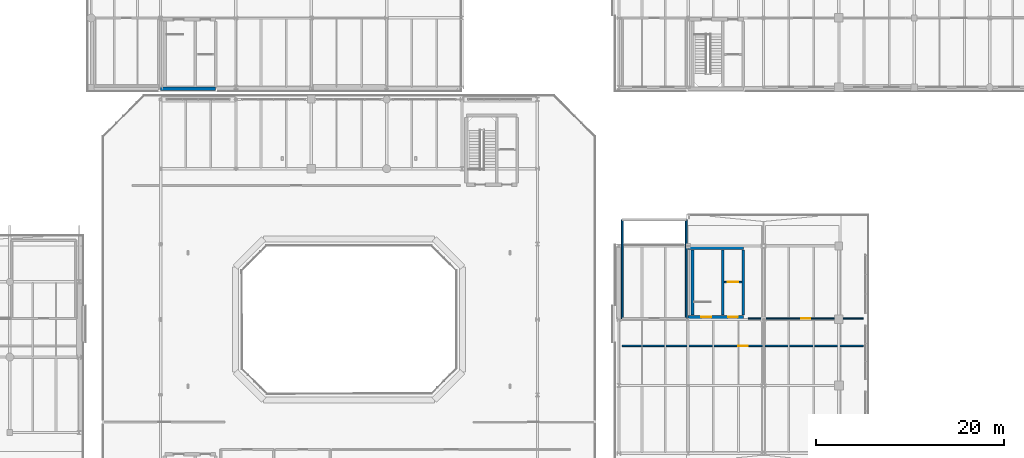
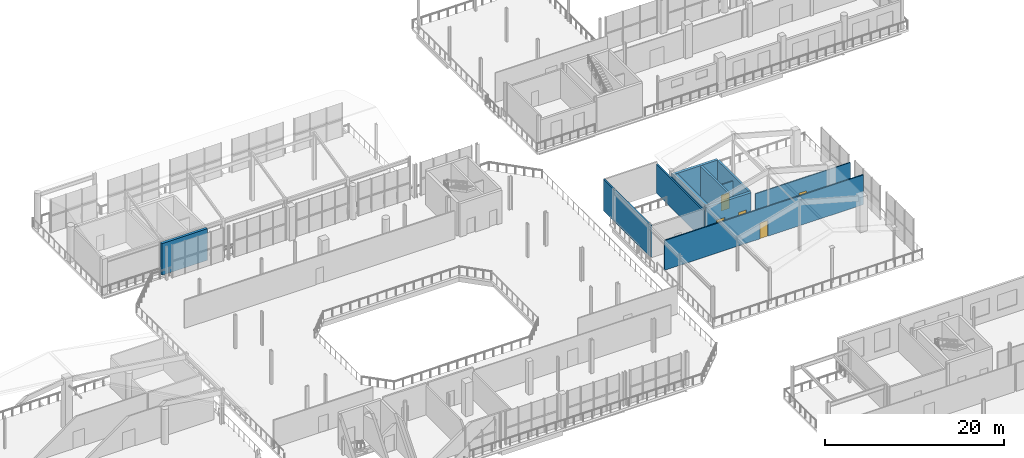
# One storey, part 51 of 70: 11 walls, 5 doors, 5 openings.
"""IFC4 building model written with IfcOpenShell, lengths in metres."""

from ifc_helpers import new_model, si_unit, direction, frame, frame_2d, origin, place, context, subcontext, project, spatial, rectangle, extrude, material, layer, layer_set, type_object, element, fill, save


model = new_model("IFC4")

# Units and contexts
model_context = context("Model", 3, precision=1e-05, world=origin(), true_north=direction((0.0, 1.0)))
body_context = subcontext(model_context, "Body", "Model", "MODEL_VIEW")
ifc_project = project(units=[si_unit("LENGTHUNIT", "METRE"), si_unit("AREAUNIT", "SQUARE_METRE"), si_unit("VOLUMEUNIT", "CUBIC_METRE"), si_unit("PLANEANGLEUNIT", "RADIAN"), si_unit("MASSUNIT", "GRAM", prefix="KILO")], contexts=[model_context])

# Site, building, storey
site_placement = place(None, origin())
site = spatial("IfcSite", under=ifc_project, at=site_placement, CompositionType="ELEMENT")
building_placement = place(site_placement, origin())
building = spatial("IfcBuilding", under=site, at=building_placement, Name="Brisemont Oceanarium", CompositionType="ELEMENT")
storey_placement = place(building_placement, frame((0.0, 0.0, 10.199951171875)))
storey = spatial("IfcBuildingStorey", under=building, at=storey_placement, Name="L02", CompositionType="ELEMENT", Elevation=10.199951171875)

# Wall, opening, door
ifc_material_1 = material(Name="Moisture-Resistant Gypsum Steel-Stud Partition", Category="steel")
ifc_layer_1 = layer(ifc_material_1, 0.159912109375)
ifc_layer_set_1 = layer_set([ifc_layer_1], Name="Moisture-Resistant Gypsum Steel-Stud Partition")
wall_type_1 = type_object("IfcWallType", Name="IW-FB-160", PredefinedType="PARTITIONING", material=ifc_layer_set_1)
wall_1_placement = place(storey_placement, frame((123.85009765625, 59.969970703125, 0.0), z_axis=(0.0, 0.0, 1.0), x_axis=(1.0, 0.0, 0.0)))
wall_1 = element("IfcWall", 1, at=wall_1_placement, inside=storey, type_object=wall_type_1, Name="Core C6 L02 lift hoistway front wall", PredefinedType="PARTITIONING", context=body_context, shape_type="SweptSolid", body=[
    extrude(rectangle(XDim=1.83984375, YDim=0.159912109375, at=frame_2d((0.919921875, 0.0))), origin(), (0.0, 0.0, 1.0), 3.60009765625),
])
opening_1_placement = place(wall_1_placement, frame((0.3701171875, 0.0, 0.0)))
opening_1 = element("IfcOpeningElement", 2, at=opening_1_placement, cuts=wall_1, Name="Opening LD-01", PredefinedType="OPENING", context=body_context, shape_type="SweptSolid", body=[
    extrude(rectangle(XDim=1.10009765625, YDim=2.14990234375, at=frame_2d((0.550048828125, 1.074951171875))), frame((0.0, 0.08984375, 0.0), z_axis=(0.0, -1.0, 0.0), x_axis=(1.0, 0.0, 0.0)), (0.0, 0.0, 1.0), 0.179931640625),
])
ifc_material_2 = material(Name="Duplex Stainless Steel EN 1.4462", Category="steel")
door_type_1 = type_object("IfcDoorType", Name="DR-LIFT-1100X2150", OperationType="NOTDEFINED", PredefinedType="DOOR", material=ifc_material_2)
door_1_placement = place(opening_1_placement, origin())
door_1 = element("IfcDoor", 3, at=door_1_placement, inside=storey, type_object=door_type_1, Name="Lift landing door LF-06 L02", OperationType="SLIDING_TO_LEFT", OverallHeight=2.14990234375, OverallWidth=1.10009765625, PredefinedType="DOOR", context=body_context, shape_type="SweptSolid", body=[
    extrude(rectangle(XDim=1.10009765625, YDim=2.14990234375, at=frame_2d((0.550048828125, 1.074951171875))), frame((0.0, 0.02490234375, 0.0), z_axis=(0.0, -1.0, 0.0), x_axis=(1.0, 0.0, 0.0)), (0.0, 0.0, 1.0), 0.050048828125),
])
fill(opening_1, door_1)

wall_2_placement = place(storey_placement, frame((113.0, 53.199951171875, 0.0), z_axis=(0.0, 0.0, 1.0), x_axis=(1.0, 0.0, 0.0)))
wall_2 = element("IfcWall", 4, at=wall_2_placement, inside=storey, type_object=wall_type_1, Name="Seadragon and Pipefish Exhibit Gallery corridor partition", PredefinedType="PARTITIONING", context=body_context, shape_type="SweptSolid", body=[
    extrude(rectangle(XDim=25.60009765625, YDim=0.159912109375, at=frame_2d((12.800048828125, 0.0))), origin(), (0.0, 0.0, 1.0), 4.047119140625),
])
opening_2_placement = place(wall_2_placement, frame((12.2900390625, 0.0, 0.0)))
opening_2 = element("IfcOpeningElement", 5, at=opening_2_placement, cuts=wall_2, Name="Opening D-01", PredefinedType="OPENING", context=body_context, shape_type="SweptSolid", body=[
    extrude(rectangle(XDim=1.02001953125, YDim=2.14990234375, at=frame_2d((0.510009765625, 1.074951171875))), frame((0.0, 0.08984375, 0.0), z_axis=(0.0, -1.0, 0.0), x_axis=(1.0, 0.0, 0.0)), (0.0, 0.0, 1.0), 0.179931640625),
])
ifc_material_3 = material(Name="FSC White Oak Solid-Core Fire Door")
door_type_2 = type_object("IfcDoorType", Name="DR-RM-1020X2150", OperationType="NOTDEFINED", PredefinedType="DOOR", material=ifc_material_3)
door_2_placement = place(opening_2_placement, origin())
door_2 = element("IfcDoor", 6, at=door_2_placement, inside=storey, type_object=door_type_2, Name="D-01 door to Seadragon and Pipefish Exhibit Gallery", OperationType="SINGLE_SWING_LEFT", OverallHeight=2.14990234375, OverallWidth=1.02001953125, PredefinedType="DOOR", context=body_context, shape_type="SweptSolid", body=[
    extrude(rectangle(XDim=1.02001953125, YDim=2.14990234375, at=frame_2d((0.510009765625, 1.074951171875))), frame((0.0, 0.02490234375, 0.0), z_axis=(0.0, -1.0, 0.0), x_axis=(1.0, 0.0, 0.0)), (0.0, 0.0, 1.0), 0.050048828125),
])
fill(opening_2, door_2)

ifc_material_4 = material(Name="Moisture-Resistant Gypsum Steel-Stud Partition", Category="steel")
ifc_layer_2 = layer(ifc_material_4, 0.1201171875)
ifc_layer_set_2 = layer_set([ifc_layer_2], Name="Moisture-Resistant Gypsum Steel-Stud Partition")
wall_type_2 = type_object("IfcWallType", Name="IW-PART-120", PredefinedType="PARTITIONING", material=ifc_layer_set_2)
wall_3_placement = place(storey_placement, frame((126.39990234375, 56.10009765625, 0.0), z_axis=(0.0, 0.0, 1.0), x_axis=(1.0, 0.0, 0.0)))
wall_3 = element("IfcWall", 7, at=wall_3_placement, inside=storey, type_object=wall_type_2, Name="Coral Restoration Nursery Exhibit Gallery corridor partition", PredefinedType="PARTITIONING", context=body_context, shape_type="SweptSolid", body=[
    extrude(rectangle(XDim=12.2001953125, YDim=0.1201171875, at=frame_2d((6.10009765625, 0.0))), origin(), (0.0, 0.0, 1.0), 3.95703125),
])
opening_3_placement = place(wall_3_placement, frame((5.6201171875, 0.0, 0.0)))
opening_3 = element("IfcOpeningElement", 8, at=opening_3_placement, cuts=wall_3, Name="Opening D-02", PredefinedType="OPENING", context=body_context, shape_type="SweptSolid", body=[
    extrude(rectangle(XDim=0.9599609375, YDim=2.10009765625, at=frame_2d((0.47998046875, 1.050048828125))), frame((0.0, 0.070068359375, 0.0), z_axis=(0.0, -1.0, 0.0), x_axis=(1.0, 0.0, 0.0)), (0.0, 0.0, 1.0), 0.14013671875),
])
ifc_material_5 = material(Name="FSC White Oak Solid-Core Fire Door")
door_type_3 = type_object("IfcDoorType", Name="DR-RM-960X2100", OperationType="NOTDEFINED", PredefinedType="DOOR", material=ifc_material_5)
door_3_placement = place(opening_3_placement, origin())
door_3 = element("IfcDoor", 9, at=door_3_placement, inside=storey, type_object=door_type_3, Name="D-02 door to Coral Restoration Nursery Exhibit Gallery", OperationType="SINGLE_SWING_RIGHT", OverallHeight=2.10009765625, OverallWidth=0.9599609375, PredefinedType="DOOR", context=body_context, shape_type="SweptSolid", body=[
    extrude(rectangle(XDim=0.9599609375, YDim=2.10009765625, at=frame_2d((0.47998046875, 1.050048828125))), frame((0.0, 0.02490234375, 0.0), z_axis=(0.0, -1.0, 0.0), x_axis=(1.0, 0.0, 0.0)), (0.0, 0.0, 1.0), 0.050048828125),
])
fill(opening_3, door_3)

# Walls
ifc_material_6 = material(Name="Cementitious Tile-Backer Plumbing Wall")
ifc_layer_3 = layer(ifc_material_6, 0.199951171875)
ifc_layer_set_3 = layer_set([ifc_layer_3], Name="Cementitious Tile-Backer Plumbing Wall")
wall_type_3 = type_object("IfcWallType", Name="IW-PLUMB-200", PredefinedType="PLUMBINGWALL", material=ifc_layer_set_3)
wall_4_placement = place(storey_placement, frame((113.0, 56.10009765625, 0.0), z_axis=(0.0, 0.0, 1.0), x_axis=(0.0, 1.0, 0.0)))
element("IfcWall", 10, at=wall_4_placement, inside=storey, type_object=wall_type_3, Name="Accessible WC enclosure wall W", PredefinedType="PLUMBINGWALL", context=body_context, shape_type="SweptSolid", body=[
    extrude(rectangle(XDim=10.5, YDim=0.199951171875, at=frame_2d((5.25, 0.0))), origin(), (0.0, 0.0, 1.0), 4.2900390625),
])
wall_5_placement = place(storey_placement, frame((119.800048828125, 56.10009765625, 0.0), z_axis=(0.0, 0.0, 1.0), x_axis=(0.0, 1.0, 0.0)))
element("IfcWall", 11, at=wall_5_placement, inside=storey, type_object=wall_type_3, Name="Accessible WC enclosure wall E", PredefinedType="PLUMBINGWALL", context=body_context, shape_type="SweptSolid", body=[
    extrude(rectangle(XDim=10.5, YDim=0.199951171875, at=frame_2d((5.25, 0.0))), origin(), (0.0, 0.0, 1.0), 3.95703125),
])
ifc_material_7 = material(Name="Concrete C40/50", Category="concrete")
ifc_layer_4 = layer(ifc_material_7, 0.260009765625)
ifc_layer_set_4 = layer_set([ifc_layer_4], Name="Concrete C40/50")
wall_type_4 = type_object("IfcWallType", Name="SW-SHAFT-260", PredefinedType="SHEAR", material=ifc_layer_set_4)
for number, where, z_axis, x_axis, name in (
    (12, (125.85009765625, 56.449951171875, 0.0), (0.0, 0.0, 1.0), (0.0, 1.0, 0.0), "Core C6 L02 E RC shear wall"),
    (13, (123.669921875, 56.449951171875, 0.0), (0.0, 0.0, 1.0), (0.0, 1.0, 0.0), "Core C6 L02 MID RC shear wall"),
):
    element("IfcWall", number, at=place(storey_placement, frame(where, z_axis=z_axis, x_axis=x_axis)), inside=storey, type_object=wall_type_4, Name=name, PredefinedType="SHEAR", context=body_context, shape_type="SweptSolid", body=[
        extrude(rectangle(XDim=6.949951171875, YDim=0.260009765625, at=frame_2d((3.47509765625, 0.0))), origin(), (0.0, 0.0, 1.0), 4.300048828125),
    ])

# Wall, openings, doors
ifc_material_8 = material(Name="Concrete C40/50", Category="concrete")
ifc_layer_5 = layer(ifc_material_8, 0.35009765625)
ifc_layer_set_5 = layer_set([ifc_layer_5], Name="Concrete C40/50")
wall_type_5 = type_object("IfcWallType", Name="SW-STAIR-350", PredefinedType="SHEAR", material=ifc_layer_set_5)
wall_6_placement = place(storey_placement, frame((120.0, 56.25, 0.0), z_axis=(0.0, 0.0, 1.0), x_axis=(1.0, 0.0, 0.0)))
wall_6 = element("IfcWall", 14, at=wall_6_placement, inside=storey, type_object=wall_type_5, Name="Core C6 L02 corridor RC shear wall", PredefinedType="SHEAR", context=body_context, shape_type="SweptSolid", body=[
    extrude(rectangle(XDim=5.85009765625, YDim=0.35009765625, at=frame_2d((2.925048828125, 0.0))), origin(), (0.0, 0.0, 1.0), 4.300048828125),
])
opening_4_placement = place(wall_6_placement, frame((1.39990234375, 0.0, 0.0)))
opening_4 = element("IfcOpeningElement", 15, at=opening_4_placement, cuts=wall_6, Name="Opening SD-02", PredefinedType="OPENING", context=body_context, shape_type="SweptSolid", body=[
    extrude(rectangle(XDim=1.050048828125, YDim=2.10009765625, at=frame_2d((0.52490234375, 1.050048828125))), frame((0.0, 0.18505859375, 0.0), z_axis=(0.0, -1.0, 0.0), x_axis=(1.0, 0.0, 0.0)), (0.0, 0.0, 1.0), 0.3701171875),
])
opening_5_placement = place(wall_6_placement, frame((4.25, 0.0, 0.0)))
opening_5 = element("IfcOpeningElement", 16, at=opening_5_placement, cuts=wall_6, Name="Opening FD90-2", PredefinedType="OPENING", context=body_context, shape_type="SweptSolid", body=[
    extrude(rectangle(XDim=1.0, YDim=2.14990234375, at=frame_2d((0.5, 1.074951171875))), frame((0.0, 0.18505859375, 0.0), z_axis=(0.0, -1.0, 0.0), x_axis=(1.0, 0.0, 0.0)), (0.0, 0.0, 1.0), 0.3701171875),
])
ifc_material_9 = material(Name="FSC White Oak Solid-Core Fire Door")
door_type_4 = type_object("IfcDoorType", Name="DR-LOB-1000X2150", OperationType="NOTDEFINED", PredefinedType="DOOR", material=ifc_material_9)
door_4_placement = place(opening_5_placement, origin())
door_4 = element("IfcDoor", 17, at=door_4_placement, inside=storey, type_object=door_type_4, Name="Lift lobby door C6 L02", OperationType="SINGLE_SWING_LEFT", OverallHeight=2.14990234375, OverallWidth=1.0, PredefinedType="DOOR", context=body_context, shape_type="SweptSolid", body=[
    extrude(rectangle(XDim=1.0, YDim=2.14990234375, at=frame_2d((0.5, 1.074951171875))), frame((0.0, 0.02490234375, 0.0), z_axis=(0.0, -1.0, 0.0), x_axis=(1.0, 0.0, 0.0)), (0.0, 0.0, 1.0), 0.050048828125),
])
fill(opening_5, door_4)
ifc_material_10 = material(Name="Duplex Stainless Steel EN 1.4462", Category="steel")
door_type_5 = type_object("IfcDoorType", Name="DR-STAIR-1050X2100", OperationType="NOTDEFINED", PredefinedType="DOOR", material=ifc_material_10)
door_5_placement = place(opening_4_placement, origin())
door_5 = element("IfcDoor", 18, at=door_5_placement, inside=storey, type_object=door_type_5, Name="Exit stair door ST-06 L02", OperationType="SINGLE_SWING_RIGHT", OverallHeight=2.10009765625, OverallWidth=1.050048828125, PredefinedType="DOOR", context=body_context, shape_type="SweptSolid", body=[
    extrude(rectangle(XDim=1.050048828125, YDim=2.10009765625, at=frame_2d((0.52490234375, 1.050048828125))), frame((0.0, 0.02490234375, 0.0), z_axis=(0.0, -1.0, 0.0), x_axis=(1.0, 0.0, 0.0)), (0.0, 0.0, 1.0), 0.050048828125),
])
fill(opening_4, door_5)

# Walls
wall_7_placement = place(storey_placement, frame((120.0, 63.60009765625, 0.0), z_axis=(0.0, 0.0, 1.0), x_axis=(1.0, 0.0, 0.0)))
element("IfcWall", 19, at=wall_7_placement, inside=storey, type_object=wall_type_5, Name="Core C6 L02 BCK RC shear wall", PredefinedType="SHEAR", context=body_context, shape_type="SweptSolid", body=[
    extrude(rectangle(XDim=5.85009765625, YDim=0.35009765625, at=frame_2d((2.925048828125, 0.0))), origin(), (0.0, 0.0, 1.0), 4.300048828125),
])
wall_8_placement = place(storey_placement, frame((120.449951171875, 56.449951171875, 0.0), z_axis=(0.0, 0.0, 1.0), x_axis=(0.0, 1.0, 0.0)))
element("IfcWall", 20, at=wall_8_placement, inside=storey, type_object=wall_type_5, Name="Core C6 L02 W RC shear wall", PredefinedType="SHEAR", context=body_context, shape_type="SweptSolid", body=[
    extrude(rectangle(XDim=6.949951171875, YDim=0.35009765625, at=frame_2d((3.47509765625, 0.0))), origin(), (0.0, 0.0, 1.0), 4.300048828125),
])
wall_9_placement = place(storey_placement, frame((64.0, 80.5, 0.0), z_axis=(0.0, 0.0, 1.0), x_axis=(1.0, 0.0, 0.0)))
element("IfcWall", 21, at=wall_9_placement, inside=storey, type_object=wall_type_5, Name="Core C8 L02 BCK RC shear wall", PredefinedType="SHEAR", context=body_context, shape_type="SweptSolid", body=[
    extrude(rectangle(XDim=5.85009765625, YDim=0.35009765625, at=frame_2d((2.925048828125, 0.0))), origin(), (0.0, 0.0, 1.0), 4.300048828125),
])

save(model, "model.ifc")
